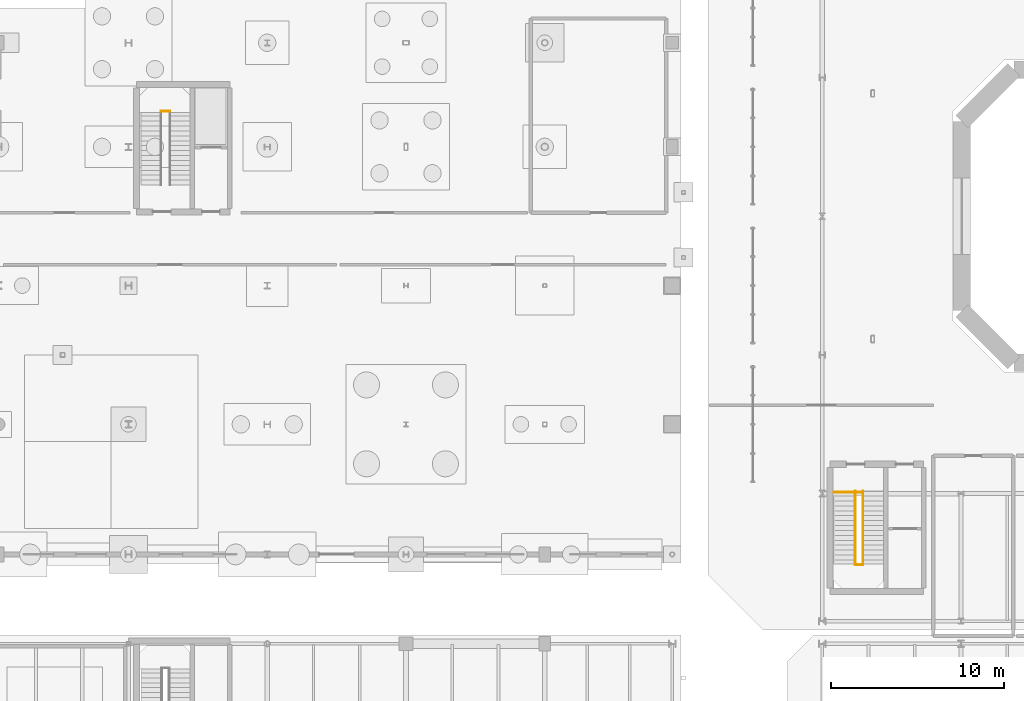
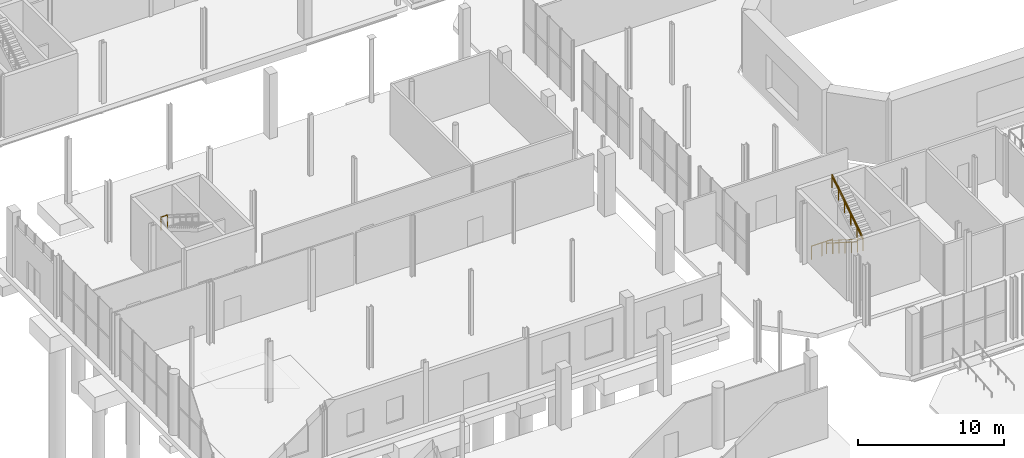
# One storey, part 80 of 87: 7 railings.
"""IFC4 building model written with IfcOpenShell, lengths in metres."""

import ifcopenshell
import ifcopenshell.guid

model = None  # the IFC model being written
_history = None  # IfcOwnerHistory: only IFC2X3 demands one
_inside = {}  # id of a spatial element -> (the spatial element, [elements in it])
_under = {}  # id of a project, library or spatial element -> (it, [spatial elements below it])
_declared = {}  # id of a project -> (the project, [libraries it declares])
_typed = {}  # id of a type object -> (the type object, [elements of that type])
_made_of = {}  # id of a material, layer set ... -> (it, [elements and type objects made of it])


def new_model(schema):
    """Start an empty IFC model of exactly this schema.

    Asked for "IFC4X3", IfcOpenShell would pick the latest addendum, in which some entities
    have other attributes; the version numbers below select the first issue.
    IFC2X3 requires an IfcOwnerHistory on every rooted entity: one is made here for all.
    """
    global model, _history
    if schema == "IFC4X3":
        model = ifcopenshell.file(schema_version=(4, 3, 0, 0))
    else:
        model = ifcopenshell.file(schema=schema)
    _inside.clear()
    _under.clear()
    _declared.clear()
    _typed.clear()
    _made_of.clear()
    _history = None
    if model.schema == "IFC2X3":
        org = make("IfcOrganization", Name="unknown")
        user = make(
            "IfcPersonAndOrganization",
            ThePerson=make("IfcPerson", FamilyName="unknown"),
            TheOrganization=org,
        )
        app = make(
            "IfcApplication",
            ApplicationDeveloper=org,
            Version="unknown",
            ApplicationFullName="unknown",
            ApplicationIdentifier="unknown",
        )
        _history = make(
            "IfcOwnerHistory",
            OwningUser=user,
            OwningApplication=app,
            ChangeAction="ADDED",
            CreationDate=0,
        )
    return model


def make(cls, **values):
    """One entity of the class cls with the attributes given. An attribute that is None is left unset."""
    return model.create_entity(
        cls, **{name: value for name, value in values.items() if value is not None}
    )


def rooted(cls, **values):
    """An entity with a GlobalId (a new one), such as an element, a storey or a relation."""
    return make(cls, GlobalId=ifcopenshell.guid.new(), OwnerHistory=_history, **values)


def si_unit(unit_type, name, prefix=None):
    """IfcSIUnit, for example si_unit("LENGTHUNIT", "METRE", prefix="MILLI")."""
    return make("IfcSIUnit", UnitType=unit_type, Prefix=prefix, Name=name)


def assignment(units):
    """IfcUnitAssignment: the units of a project."""
    return None if units is None else make("IfcUnitAssignment", Units=units)


def point(xyz):
    """IfcCartesianPoint."""
    return None if xyz is None else make("IfcCartesianPoint", Coordinates=xyz)


def direction(xyz):
    """IfcDirection."""
    return None if xyz is None else make("IfcDirection", DirectionRatios=xyz)


def frame(location, z_axis=None, x_axis=None):
    """IfcAxis2Placement3D, a coordinate frame: its origin and axes. An axis left out is left unset."""
    return make(
        "IfcAxis2Placement3D",
        Location=point(location),
        Axis=direction(z_axis),
        RefDirection=direction(x_axis),
    )


def frame_2d(location, x_axis=None):
    """IfcAxis2Placement2D, a coordinate frame in the plane: its origin and x axis."""
    return make(
        "IfcAxis2Placement2D", Location=point(location), RefDirection=direction(x_axis)
    )


def origin():
    """The frame at (0, 0, 0) with its axes left unset."""
    return frame((0.0, 0.0, 0.0))


def origin_2d():
    """The frame at (0, 0) in the plane with its x axis left unset."""
    return frame_2d((0.0, 0.0))


def place(relative_to, where):
    """IfcLocalPlacement: puts the frame where relative to a parent placement (None: the world)."""
    return make(
        "IfcLocalPlacement", PlacementRelTo=relative_to, RelativePlacement=where
    )


def context(
    kind, dimensions, precision=None, world=None, true_north=None, identifier=None
):
    """IfcGeometricRepresentationContext, for example the 3D "Model" context."""
    return make(
        "IfcGeometricRepresentationContext",
        ContextIdentifier=identifier,
        ContextType=kind,
        CoordinateSpaceDimension=dimensions,
        Precision=precision,
        WorldCoordinateSystem=world,
        TrueNorth=true_north,
    )


def subcontext(parent, identifier, kind, view, scale=None):
    """IfcGeometricRepresentationSubContext, for example "Body" below "Model"."""
    return make(
        "IfcGeometricRepresentationSubContext",
        ContextIdentifier=identifier,
        ContextType=kind,
        ParentContext=parent,
        TargetScale=scale,
        TargetView=view,
    )


def project(units=None, contexts=None):
    """IfcProject with its units and contexts."""
    return rooted(
        "IfcProject",
        Name="project",
        RepresentationContexts=contexts,
        UnitsInContext=assignment(units),
    )


def spatial(cls, under=None, at=None, **own):
    """A site, building, storey or space (cls), placed at a placement, below another one or the project."""
    s = rooted(cls, ObjectPlacement=at, **own)
    if under is not None:
        _under.setdefault(under.id(), (under, []))[1].append(s)
    return s


def profile(cls, at=None, kind="AREA", **sizes):
    """A parametric profile (cls). Its sizes go by their IFC names, for example OverallWidth=200.0."""
    return make(cls, ProfileType=kind, Position=at, **sizes)


def circle(**sizes):
    """IfcCircleProfileDef."""
    return profile("IfcCircleProfileDef", **sizes)


def extrude(swept, where, along, depth):
    """IfcExtrudedAreaSolid: the profile swept, set in the frame where, extruded along a direction by depth."""
    return make(
        "IfcExtrudedAreaSolid",
        SweptArea=swept,
        Position=where,
        ExtrudedDirection=direction(along),
        Depth=depth,
    )


def shape(context_of_items, identifier, shape_type, items):
    """IfcShapeRepresentation: the items that make up one representation, for example the "Body"."""
    return make(
        "IfcShapeRepresentation",
        ContextOfItems=context_of_items,
        RepresentationIdentifier=identifier,
        RepresentationType=shape_type,
        Items=items,
    )


def material(Name=None, Category=None):
    """IfcMaterial."""
    return make("IfcMaterial", Name=Name, Category=Category)


def made_of(thing, what):
    """Note that an element or type object is made of a material, layer set ...; save() writes the relation."""
    if what is not None:
        _made_of.setdefault(what.id(), (what, []))[1].append(thing)
    return thing


def type_object(cls, material=None, **own):
    """A type object (cls), such as IfcWallType, which elements share."""
    return made_of(rooted(cls, **own), material)


def element(
    cls,
    number,
    at=None,
    inside=None,
    cuts=None,
    type_object=None,
    material=None,
    context=None,
    identifier="Body",
    shape_type=None,
    held_by="IfcProductDefinitionShape",
    body=None,
    shapes=None,
    **own,
):
    """One element of the class cls, such as IfcWall. Its Tag is "e" and its number.

    at: its placement. inside: the storey or other place that contains it. cuts: it is an
    opening in that element (IfcRelVoidsElement). A single representation is given by context,
    identifier, shape_type and body (its items); several are given by shapes. held_by: the class
    of the entity that holds the representations. save() writes the other relations.
    """
    e = rooted(cls, Tag="e%d" % number, ObjectPlacement=at, **own)
    if body is not None:
        shapes = [shape(context, identifier, shape_type, body)]
    if shapes is not None:
        e.Representation = make(held_by, Representations=shapes)
    if inside is not None:
        _inside.setdefault(inside.id(), (inside, []))[1].append(e)
    if cuts is not None:
        rooted(
            "IfcRelVoidsElement", RelatingBuildingElement=cuts, RelatedOpeningElement=e
        )
    if type_object is not None:
        _typed.setdefault(type_object.id(), (type_object, []))[1].append(e)
    return made_of(e, material)


def aggregate(whole, parts):
    """IfcRelAggregates: a whole, such as a stair, and the parts it consists of."""
    return rooted("IfcRelAggregates", RelatingObject=whole, RelatedObjects=parts)


def save(model, path):
    """Write the relations noted so far, then the file.

    IfcRelAggregates (storeys below a building ...), IfcRelContainedInSpatialStructure (elements
    in a storey), IfcRelDefinesByType, IfcRelAssociatesMaterial and IfcRelDeclares: one each for
    every whole, place, type object, material and project.
    """
    for whole, parts in _under.values():
        aggregate(whole, parts)
    for where, things in _inside.values():
        rooted(
            "IfcRelContainedInSpatialStructure",
            RelatedElements=things,
            RelatingStructure=where,
        )
    for kind, things in _typed.values():
        rooted("IfcRelDefinesByType", RelatedObjects=things, RelatingType=kind)
    for what, things in _made_of.values():
        rooted("IfcRelAssociatesMaterial", RelatedObjects=things, RelatingMaterial=what)
    for by, libraries in _declared.values():
        rooted("IfcRelDeclares", RelatingContext=by, RelatedDefinitions=libraries)
    model.write(path)


model = new_model("IFC4")

# Units and contexts
model_context = context("Model", 3, precision=1e-05, world=origin(), true_north=direction((0.0, 1.0)))
body_context = subcontext(model_context, "Body", "Model", "MODEL_VIEW")
ifc_project = project(units=[si_unit("LENGTHUNIT", "METRE"), si_unit("AREAUNIT", "SQUARE_METRE"), si_unit("VOLUMEUNIT", "CUBIC_METRE"), si_unit("PLANEANGLEUNIT", "RADIAN"), si_unit("MASSUNIT", "GRAM", prefix="KILO")], contexts=[model_context])

# Site, building, storey
site_placement = place(None, origin())
site = spatial("IfcSite", under=ifc_project, at=site_placement, CompositionType="ELEMENT")
building_placement = place(site_placement, origin())
building = spatial("IfcBuilding", under=site, at=building_placement, Name="Brisemont Oceanarium", CompositionType="ELEMENT")
storey_placement = place(building_placement, origin())
storey = spatial("IfcBuildingStorey", under=building, at=storey_placement, Name="L00", CompositionType="ELEMENT", Elevation=0.0)

# Railings
ifc_material_1 = material(Name="Duplex Stainless Steel EN 1.4462", Category="steel")
railing_type_1 = type_object("IfcRailingType", Name="RLG-GUARD-1120", PredefinedType="GUARDRAIL", material=ifc_material_1)
railing_1_placement = place(storey_placement, frame((64.669921875, 40.090087890625, 0.0)))
element("IfcRailing", 1, at=railing_1_placement, inside=storey, type_object=railing_type_1, Name="ST-01 L00 landing edge guard", PredefinedType="GUARDRAIL", context=body_context, shape_type="SweptSolid", body=[
    extrude(circle(Radius=0.02392578125, at=origin_2d()), frame((0.0, 0.0, 1.09619140625), z_axis=(1.0, 0.0, 0.0), x_axis=(0.0, 1.0, 0.0)), (0.0, 0.0, 1.0), 1.68017578125),
    extrude(circle(Radius=0.02099609375, at=origin_2d()), origin(), (0.0, 0.0, 1.0), 1.072021484375),
    extrude(circle(Radius=0.02099609375, at=origin_2d()), frame((0.840087890625, 0.0, 0.0)), (0.0, 0.0, 1.0), 1.072021484375),
    extrude(circle(Radius=0.02099609375, at=origin_2d()), frame((1.68017578125, 0.0, 0.0)), (0.0, 0.0, 1.0), 1.072021484375),
])
railing_2_placement = place(storey_placement, frame((65.909912109375, 40.14990234375, 0.0)))
element("IfcRailing", 2, at=railing_2_placement, inside=storey, type_object=railing_type_1, Name="ST-01 L00 F1 well guard", PredefinedType="GUARDRAIL", context=body_context, shape_type="SweptSolid", body=[
    extrude(circle(Radius=0.02392578125, at=origin_2d()), frame((0.0, 0.0, 1.09619140625), z_axis=(0.0, -0.84407452441, 0.536225882666), x_axis=(1.0, 0.0, 0.0)), (0.0, 0.0, 1.0), 5.03515625),
    extrude(circle(Radius=0.02099609375, at=origin_2d()), origin(), (0.0, 0.0, 1.0), 1.072021484375),
    extrude(circle(Radius=0.02099609375, at=origin_2d()), frame((0.0, -0.85009765625, 0.5400390625)), (0.0, 0.0, 1.0), 1.072021484375),
    extrude(circle(Radius=0.02099609375, at=origin_2d()), frame((0.0, -1.699951171875, 1.080078125)), (0.0, 0.0, 1.0), 1.072021484375),
    extrude(circle(Radius=0.02099609375, at=origin_2d()), frame((0.0, -2.550048828125, 1.619873046875)), (0.0, 0.0, 1.0), 1.072021484375),
    extrude(circle(Radius=0.02099609375, at=origin_2d()), frame((0.0, -3.39990234375, 2.159912109375)), (0.0, 0.0, 1.0), 1.072021484375),
    extrude(circle(Radius=0.02099609375, at=origin_2d()), frame((0.0, -4.25, 2.699951171875)), (0.0, 0.0, 1.0), 1.072021484375),
])
railing_3_placement = place(storey_placement, frame((66.35009765625, 35.89990234375, 2.699951171875)))
element("IfcRailing", 3, at=railing_3_placement, inside=storey, type_object=railing_type_1, Name="ST-01 L00 F2 well guard", PredefinedType="GUARDRAIL", context=body_context, shape_type="SweptSolid", body=[
    extrude(circle(Radius=0.02392578125, at=origin_2d()), frame((0.0, 0.0, 1.09619140625), z_axis=(0.0, 0.84407452441, 0.536225882666), x_axis=(-1.0, 0.0, 0.0)), (0.0, 0.0, 1.0), 5.03515625),
    extrude(circle(Radius=0.02099609375, at=origin_2d()), origin(), (0.0, 0.0, 1.0), 1.072021484375),
    extrude(circle(Radius=0.02099609375, at=origin_2d()), frame((0.0, 0.85009765625, 0.5400390625)), (0.0, 0.0, 1.0), 1.072021484375),
    extrude(circle(Radius=0.02099609375, at=origin_2d()), frame((0.0, 1.699951171875, 1.080078125)), (0.0, 0.0, 1.0), 1.072021484375),
    extrude(circle(Radius=0.02099609375, at=origin_2d()), frame((0.0, 2.550048828125, 1.619873046875)), (0.0, 0.0, 1.0), 1.072021484375),
    extrude(circle(Radius=0.02099609375, at=origin_2d()), frame((0.0, 3.39990234375, 2.159912109375)), (0.0, 0.0, 1.0), 1.072021484375),
    extrude(circle(Radius=0.02099609375, at=origin_2d()), frame((0.0, 4.25, 2.699951171875)), (0.0, 0.0, 1.0), 1.072021484375),
])
railing_4_placement = place(storey_placement, frame((65.909912109375, 35.89990234375, 2.699951171875)))
element("IfcRailing", 4, at=railing_4_placement, inside=storey, type_object=railing_type_1, Name="ST-01 L00 landing slot guard", PredefinedType="GUARDRAIL", context=body_context, shape_type="SweptSolid", body=[
    extrude(circle(Radius=0.02392578125, at=origin_2d()), frame((0.0, 0.0, 1.09619140625), z_axis=(1.0, 0.0, 0.0), x_axis=(0.0, 1.0, 0.0)), (0.0, 0.0, 1.0), 0.440185546875),
    extrude(circle(Radius=0.02099609375, at=origin_2d()), origin(), (0.0, 0.0, 1.0), 1.072021484375),
    extrude(circle(Radius=0.02099609375, at=origin_2d()), frame((0.440185546875, 0.0, 0.0)), (0.0, 0.0, 1.0), 1.072021484375),
])
railing_5_placement = place(storey_placement, frame((25.8701171875, 62.050048828125, 2.699951171875)))
element("IfcRailing", 5, at=railing_5_placement, inside=storey, type_object=railing_type_1, Name="ST-05 L00 landing slot guard", PredefinedType="GUARDRAIL", context=body_context, shape_type="SweptSolid", body=[
    extrude(circle(Radius=0.02392578125, at=origin_2d()), frame((0.0, 0.0, 1.09619140625), z_axis=(1.0, 0.0, 0.0), x_axis=(0.0, 1.0, 0.0)), (0.0, 0.0, 1.0), 0.519775390625),
    extrude(circle(Radius=0.02099609375, at=origin_2d()), origin(), (0.0, 0.0, 1.0), 1.072021484375),
    extrude(circle(Radius=0.02099609375, at=origin_2d()), frame((0.519775390625, 0.0, 0.0)), (0.0, 0.0, 1.0), 1.072021484375),
])
ifc_material_2 = material(Name="Duplex Stainless Steel EN 1.4462", Category="steel")
railing_type_2 = type_object("IfcRailingType", Name="RLG-HAND-900", PredefinedType="HANDRAIL", material=ifc_material_2)
railing_6_placement = place(storey_placement, frame((65.909912109375, 40.14990234375, 0.0)))
element("IfcRailing", 6, at=railing_6_placement, inside=storey, type_object=railing_type_2, Name="ST-01 L00 F1 handrail", PredefinedType="HANDRAIL", context=body_context, shape_type="SweptSolid", body=[
    extrude(circle(Radius=0.02392578125, at=origin_2d()), frame((0.0, 0.0, 0.8759765625), z_axis=(0.0, -0.84407452441, 0.536225882666), x_axis=(1.0, 0.0, 0.0)), (0.0, 0.0, 1.0), 5.03515625),
    extrude(circle(Radius=0.02099609375, at=origin_2d()), origin(), (0.0, 0.0, 1.0), 0.851806640625),
    extrude(circle(Radius=0.02099609375, at=origin_2d()), frame((0.0, -0.85009765625, 0.5400390625)), (0.0, 0.0, 1.0), 0.851806640625),
    extrude(circle(Radius=0.02099609375, at=origin_2d()), frame((0.0, -1.699951171875, 1.080078125)), (0.0, 0.0, 1.0), 0.851806640625),
    extrude(circle(Radius=0.02099609375, at=origin_2d()), frame((0.0, -2.550048828125, 1.619873046875)), (0.0, 0.0, 1.0), 0.851806640625),
    extrude(circle(Radius=0.02099609375, at=origin_2d()), frame((0.0, -3.39990234375, 2.159912109375)), (0.0, 0.0, 1.0), 0.851806640625),
    extrude(circle(Radius=0.02099609375, at=origin_2d()), frame((0.0, -4.25, 2.699951171875)), (0.0, 0.0, 1.0), 0.851806640625),
])
railing_7_placement = place(storey_placement, frame((66.35009765625, 35.89990234375, 2.699951171875)))
element("IfcRailing", 7, at=railing_7_placement, inside=storey, type_object=railing_type_2, Name="ST-01 L00 F2 handrail", PredefinedType="HANDRAIL", context=body_context, shape_type="SweptSolid", body=[
    extrude(circle(Radius=0.02392578125, at=origin_2d()), frame((0.0, 0.0, 0.8759765625), z_axis=(0.0, 0.84407452441, 0.536225882666), x_axis=(-1.0, 0.0, 0.0)), (0.0, 0.0, 1.0), 5.03515625),
    extrude(circle(Radius=0.02099609375, at=origin_2d()), origin(), (0.0, 0.0, 1.0), 0.851806640625),
    extrude(circle(Radius=0.02099609375, at=origin_2d()), frame((0.0, 0.85009765625, 0.5400390625)), (0.0, 0.0, 1.0), 0.851806640625),
    extrude(circle(Radius=0.02099609375, at=origin_2d()), frame((0.0, 1.699951171875, 1.080078125)), (0.0, 0.0, 1.0), 0.851806640625),
    extrude(circle(Radius=0.02099609375, at=origin_2d()), frame((0.0, 2.550048828125, 1.619873046875)), (0.0, 0.0, 1.0), 0.851806640625),
    extrude(circle(Radius=0.02099609375, at=origin_2d()), frame((0.0, 3.39990234375, 2.159912109375)), (0.0, 0.0, 1.0), 0.851806640625),
    extrude(circle(Radius=0.02099609375, at=origin_2d()), frame((0.0, 4.25, 2.699951171875)), (0.0, 0.0, 1.0), 0.851806640625),
])

save(model, "model.ifc")
